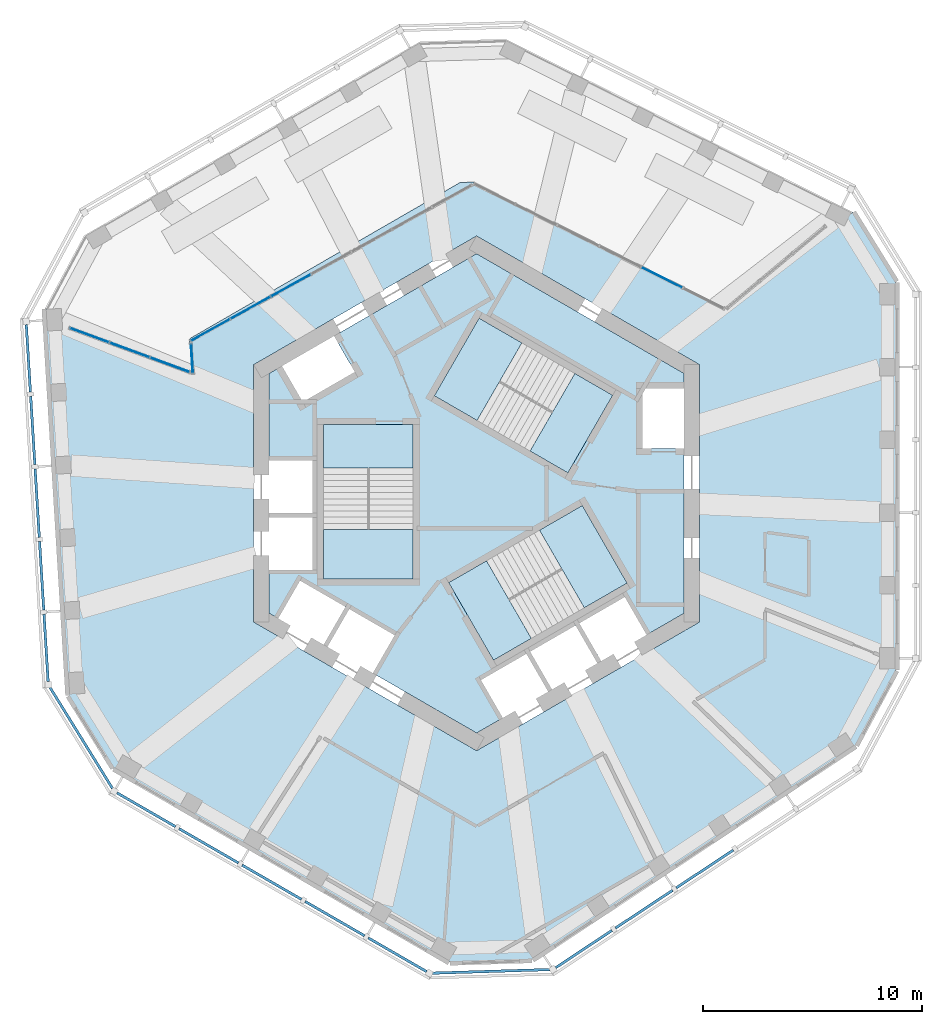
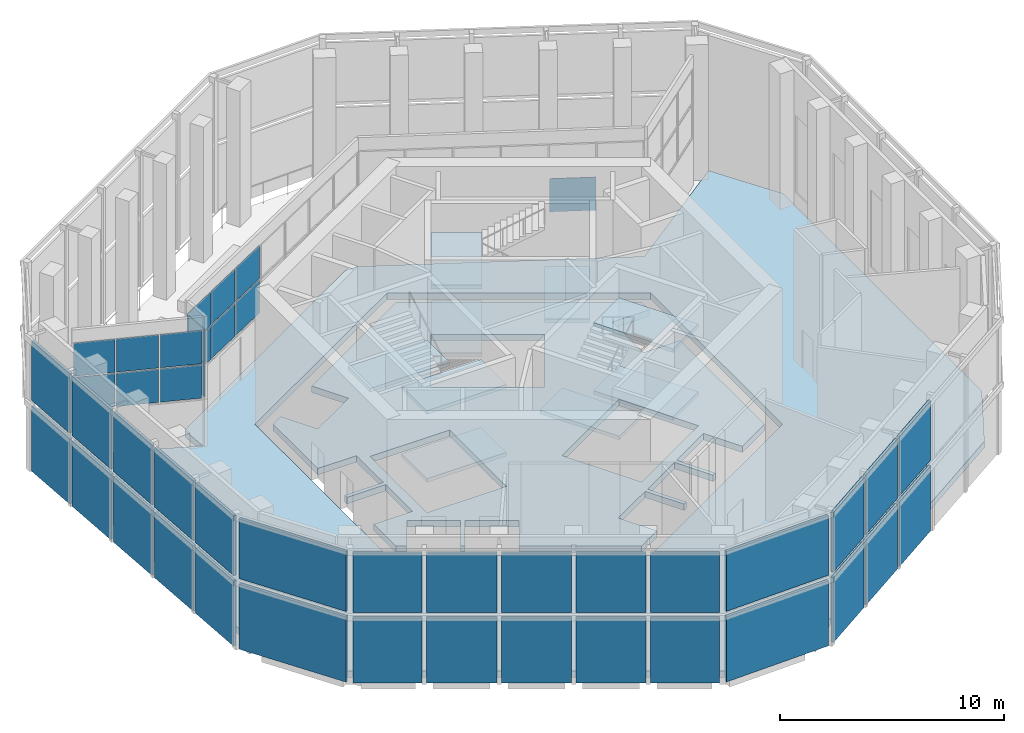
# One storey, part 6 of 16: 45 plates, 11 slabs, 12 elements without a shape of their own.
"""IFC4 building model written with IfcOpenShell, lengths in metres."""

from ifc_helpers import new_model, si_unit, direction, frame, origin, origin_2d, place, context, subcontext, project, spatial, polyline, rectangle, outline, extrude, material, layer, layer_set, type_object, element, aggregate, save


model = new_model("IFC4")

# Units and contexts
model_context = context("Model", 3, precision=1e-05, world=origin(), true_north=direction((0.0, 1.0)))
body_context = subcontext(model_context, "Body", "Model", "MODEL_VIEW")
ifc_project = project(units=[si_unit("LENGTHUNIT", "METRE"), si_unit("AREAUNIT", "SQUARE_METRE"), si_unit("VOLUMEUNIT", "CUBIC_METRE"), si_unit("PLANEANGLEUNIT", "RADIAN"), si_unit("MASSUNIT", "GRAM", prefix="KILO")], contexts=[model_context])

# Site, building, storey
site_placement = place(None, origin())
site = spatial("IfcSite", under=ifc_project, at=site_placement, CompositionType="ELEMENT")
building_placement = place(site_placement, origin())
building = spatial("IfcBuilding", under=site, at=building_placement, Name="Vanh Sen Convention Tower", CompositionType="ELEMENT")
storey_placement = place(building_placement, frame((0.0, 0.0, 278.300048828125)))
storey = spatial("IfcBuildingStorey", under=building, at=storey_placement, Name="L69", CompositionType="ELEMENT", Elevation=278.300048828125)

# Slabs
ifc_material_1 = material(Name="Concrete C40/50", Category="concrete")
ifc_layer_1 = layer(ifc_material_1, 0.35009765625)
ifc_layer_set_1 = layer_set([ifc_layer_1], Name="Concrete C40/50")
slab_type_1 = type_object("IfcSlabType", Name="Core slab 350", PredefinedType="FLOOR", material=ifc_layer_set_1)
slab_1_placement = place(storey_placement, frame((0.0, 0.0, -0.35009765625)))
element("IfcSlab", 1, at=slab_1_placement, inside=storey, type_object=slab_type_1, Name="Core slab L69", PredefinedType="FLOOR", context=body_context, shape_type="SweptSolid", body=[
    extrude(outline(polyline([(0.0, 10.9697265625), (9.5, 5.48486328125), (9.5, 4.800048828125), (7.60009765625, 4.800048828125), (7.60009765625, 2.050048828125), (9.5, 2.050048828125), (9.5, -5.48486328125), (7.781005859375, -6.477294921875), (6.781005859375, -4.7451171875), (4.70263671875, -5.9453125), (5.70263671875, -7.67724609375), (5.529296875, -7.777099609375), (4.529296875, -6.045166015625), (2.450927734375, -7.2451171875), (3.450927734375, -8.977294921875), (3.27783203125, -9.0771484375), (2.27783203125, -7.34521484375), (0.19921875, -8.545166015625), (1.19921875, -10.277099609375), (0.0, -10.9697265625), (-4.75, -8.227294921875), (-3.75, -6.4951171875), (-5.82861328125, -5.295166015625), (-6.82861328125, -7.027099609375), (-7.001708984375, -6.92724609375), (-6.001708984375, -5.1953125), (-8.080078125, -3.9951171875), (-9.080078125, -5.727294921875), (-9.5, -5.48486328125), (-9.5, -3.5), (-7.5, -3.5), (-7.5, -1.10009765625), (-9.5, -1.10009765625), (-9.5, -0.89990234375), (-7.5, -0.89990234375), (-7.5, 1.5), (-9.5, 1.5), (-9.5, 5.48486328125), (-8.906982421875, 5.8271484375), (-7.956787109375, 4.181884765625), (-5.575439453125, 5.556884765625), (-6.525390625, 7.2021484375), (0.0, 10.9697265625)]), holes=[polyline([(-7.0, 1.1494140625), (-7.0, -3.909912109375), (-2.89990234375, -3.909912109375), (-2.89990234375, 1.1494140625), (-7.0, 1.1494140625)]), polyline([(2.504638671875, -6.63671875), (6.88623046875, -4.107177734375), (4.836181640625, -0.556396484375), (0.45458984375, -3.086181640625), (2.504638671875, -6.63671875)]), polyline([(0.11376953125, 8.01708984375), (-1.936279296875, 4.466552734375), (2.4453125, 1.936767578125), (4.495361328125, 5.487548828125), (0.11376953125, 8.01708984375)])]), origin(), (0.0, 0.0, 1.0), 0.35009765625),
])
ifc_layer_2 = layer(ifc_material_1, 0.35009765625)
ifc_layer_set_2 = layer_set([ifc_layer_2], Name="Concrete C40/50")
slab_type_2 = type_object("IfcSlabType", Name="Floor slab 350, compartment floor REI 180", PredefinedType="FLOOR", material=ifc_layer_set_2)
slab_2_placement = place(storey_placement, frame((0.0, 0.0, -0.35009765625)))
element("IfcSlab", 2, at=slab_2_placement, inside=storey, type_object=slab_type_2, Name="Floor slab L69 interior", PredefinedType="FLOOR", context=body_context, shape_type="SweptSolid", body=[
    extrude(outline(polyline([(17.21337890625, 12.871826171875), (17.21337890625, 12.871826171875), (11.385986328125, 8.51416015625), (-0.115478515625, 14.24853515625), (-0.754638671875, 14.22900390625), (-13.1162109375, 7.092041015625), (-13.1533203125, 7.023193359375), (-13.06640625, 5.603515625), (-19.75390625, 8.471435546875), (-18.669921875, -9.25390625), (-16.612060546875, -12.579345703125), (-1.23291015625, -21.45849609375), (2.54052734375, -21.34326171875), (17.34912109375, -11.541748046875), (19.199951171875, -8.0966796875), (19.199951171875, 9.66162109375), (17.21337890625, 12.871826171875)]), holes=[polyline([(0.0, 11.77783203125), (-10.199951171875, 5.888916015625), (-10.199951171875, -5.888916015625), (0.0, -11.77783203125), (10.199951171875, -5.888916015625), (10.199951171875, 5.888916015625), (0.0, 11.77783203125)])]), origin(), (0.0, 0.0, 1.0), 0.35009765625),
])

# Curtain wall, plates
ifc_material_2 = material(Name="Aluminium structural glazing system", Category="aluminium")
curtain_wall_type_1 = type_object("IfcCurtainWallType", Name="Sky garden structural glazing", PredefinedType="NOTDEFINED", material=ifc_material_2)
curtain_wall_1_placement = place(storey_placement, origin())
curtain_wall_1 = element("IfcCurtainWall", 3, at=curtain_wall_1_placement, inside=storey, type_object=curtain_wall_type_1, Name="Winter garden glazing 1 L69", PredefinedType="NOTDEFINED")
ifc_material_3 = material(Name="Clear toughened safety glass", Category="glass")
ifc_layer_3 = layer(ifc_material_3, 0.035888671875)
ifc_layer_set_3 = layer_set([ifc_layer_3], Name="Clear toughened safety glass")
plate_type_1 = type_object("IfcPlateType", Name="Garden glazing clear glass panel 36", PredefinedType="CURTAIN_PANEL", material=ifc_layer_set_3)
plate_1_placement = place(storey_placement, frame((-17.717529296875, 7.23486328125, 2.669921875), z_axis=(0.0, 0.0, 1.0), x_axis=(0.938493311788, -0.34529741344, 0.0)))
plate_1 = element("IfcPlate", 4, at=plate_1_placement, type_object=plate_type_1, Name="CW5 panel 1.1", PredefinedType="CURTAIN_PANEL", context=body_context, shape_type="SweptSolid", body=[
    extrude(rectangle(XDim=1.871826171875, YDim=0.035888671875, at=origin_2d()), origin(), (0.0, 0.0, 1.0), 1.804931640625),
])
plate_2_placement = place(storey_placement, frame((-17.717529296875, 7.23486328125, 4.544921875), z_axis=(0.0, 0.0, 1.0), x_axis=(0.938493311788, -0.34529741344, 0.0)))
plate_2 = element("IfcPlate", 5, at=plate_2_placement, type_object=plate_type_1, Name="CW5 panel 1.2", PredefinedType="CURTAIN_PANEL", context=body_context, shape_type="SweptSolid", body=[
    extrude(rectangle(XDim=1.871826171875, YDim=0.035888671875, at=origin_2d()), origin(), (0.0, 0.0, 1.0), 1.804931640625),
])
plate_3_placement = place(storey_placement, frame((-15.878662109375, 6.558349609375, 2.669921875), z_axis=(0.0, 0.0, 1.0), x_axis=(0.938493311788, -0.34529741344, 0.0)))
plate_3 = element("IfcPlate", 6, at=plate_3_placement, type_object=plate_type_1, Name="CW5 panel 2.1", PredefinedType="CURTAIN_PANEL", context=body_context, shape_type="SweptSolid", body=[
    extrude(rectangle(XDim=1.90673828125, YDim=0.035888671875, at=origin_2d()), origin(), (0.0, 0.0, 1.0), 1.804931640625),
])
plate_4_placement = place(storey_placement, frame((-15.878662109375, 6.558349609375, 4.544921875), z_axis=(0.0, 0.0, 1.0), x_axis=(0.938493311788, -0.34529741344, 0.0)))
plate_4 = element("IfcPlate", 7, at=plate_4_placement, type_object=plate_type_1, Name="CW5 panel 2.2", PredefinedType="CURTAIN_PANEL", context=body_context, shape_type="SweptSolid", body=[
    extrude(rectangle(XDim=1.90673828125, YDim=0.035888671875, at=origin_2d()), origin(), (0.0, 0.0, 1.0), 1.804931640625),
])
plate_5_placement = place(storey_placement, frame((-14.0400390625, 5.8818359375, 2.669921875), z_axis=(0.0, 0.0, 1.0), x_axis=(0.938493311788, -0.34529741344, 0.0)))
plate_5 = element("IfcPlate", 8, at=plate_5_placement, type_object=plate_type_1, Name="CW5 panel 3.1", PredefinedType="CURTAIN_PANEL", context=body_context, shape_type="SweptSolid", body=[
    extrude(rectangle(XDim=1.871826171875, YDim=0.035888671875, at=origin_2d()), origin(), (0.0, 0.0, 1.0), 1.804931640625),
])
plate_6_placement = place(storey_placement, frame((-14.0400390625, 5.8818359375, 4.544921875), z_axis=(0.0, 0.0, 1.0), x_axis=(0.938493311788, -0.34529741344, 0.0)))
plate_6 = element("IfcPlate", 9, at=plate_6_placement, type_object=plate_type_1, Name="CW5 panel 3.2", PredefinedType="CURTAIN_PANEL", context=body_context, shape_type="SweptSolid", body=[
    extrude(rectangle(XDim=1.871826171875, YDim=0.035888671875, at=origin_2d()), origin(), (0.0, 0.0, 1.0), 1.804931640625),
])
aggregate(curtain_wall_1, [plate_1, plate_2, plate_3, plate_4, plate_5, plate_6])

curtain_wall_2_placement = place(storey_placement, origin())
curtain_wall_2 = element("IfcCurtainWall", 10, at=curtain_wall_2_placement, inside=storey, type_object=curtain_wall_type_1, Name="Winter garden glazing 2 L69", PredefinedType="NOTDEFINED")
plate_7_placement = place(storey_placement, frame((-13.0263671875, 6.175537109375, 2.669921875), z_axis=(0.0, 0.0, 1.0), x_axis=(-0.061018113054, 0.99813665892, 0.0)))
plate_7 = element("IfcPlate", 11, at=plate_7_placement, type_object=plate_type_1, Name="CW5 panel 1.1", PredefinedType="CURTAIN_PANEL", context=body_context, shape_type="SweptSolid", body=[
    extrude(rectangle(XDim=1.29736328125, YDim=0.035888671875, at=origin_2d()), origin(), (0.0, 0.0, 1.0), 1.804931640625),
])
plate_8_placement = place(storey_placement, frame((-13.0263671875, 6.175537109375, 4.544921875), z_axis=(0.0, 0.0, 1.0), x_axis=(-0.061018113054, 0.99813665892, 0.0)))
plate_8 = element("IfcPlate", 12, at=plate_8_placement, type_object=plate_type_1, Name="CW5 panel 1.2", PredefinedType="CURTAIN_PANEL", context=body_context, shape_type="SweptSolid", body=[
    extrude(rectangle(XDim=1.29736328125, YDim=0.035888671875, at=origin_2d()), origin(), (0.0, 0.0, 1.0), 1.804931640625),
])
aggregate(curtain_wall_2, [plate_7, plate_8])

curtain_wall_3_placement = place(storey_placement, origin())
curtain_wall_3 = element("IfcCurtainWall", 13, at=curtain_wall_3_placement, inside=storey, type_object=curtain_wall_type_1, Name="Winter garden glazing 3 L69", PredefinedType="NOTDEFINED")
plate_9_placement = place(storey_placement, frame((-12.17822265625, 7.477783203125, 2.669921875), z_axis=(0.0, 0.0, 1.0), x_axis=(0.874659112115, 0.484738524975, 0.0)))
plate_9 = element("IfcPlate", 14, at=plate_9_placement, type_object=plate_type_1, Name="CW5 panel 1.1", PredefinedType="CURTAIN_PANEL", context=body_context, shape_type="SweptSolid", body=[
    extrude(rectangle(XDim=2.006591796875, YDim=0.035888671875, at=origin_2d()), origin(), (0.0, 0.0, 1.0), 1.804931640625),
])
plate_10_placement = place(storey_placement, frame((-12.17822265625, 7.477783203125, 4.544921875), z_axis=(0.0, 0.0, 1.0), x_axis=(0.874659112115, 0.484738524975, 0.0)))
plate_10 = element("IfcPlate", 15, at=plate_10_placement, type_object=plate_type_1, Name="CW5 panel 1.2", PredefinedType="CURTAIN_PANEL", context=body_context, shape_type="SweptSolid", body=[
    extrude(rectangle(XDim=2.006591796875, YDim=0.035888671875, at=origin_2d()), origin(), (0.0, 0.0, 1.0), 1.804931640625),
])
plate_11_placement = place(storey_placement, frame((-10.346435546875, 8.492919921875, 2.669921875), z_axis=(0.0, 0.0, 1.0), x_axis=(0.874659112115, 0.484738524975, 0.0)))
plate_11 = element("IfcPlate", 16, at=plate_11_placement, type_object=plate_type_1, Name="CW5 panel 2.1", PredefinedType="CURTAIN_PANEL", context=body_context, shape_type="SweptSolid", body=[
    extrude(rectangle(XDim=2.04150390625, YDim=0.035888671875, at=origin_2d()), origin(), (0.0, 0.0, 1.0), 1.804931640625),
])
plate_12_placement = place(storey_placement, frame((-10.346435546875, 8.492919921875, 4.544921875), z_axis=(0.0, 0.0, 1.0), x_axis=(0.874659112115, 0.484738524975, 0.0)))
plate_12 = element("IfcPlate", 17, at=plate_12_placement, type_object=plate_type_1, Name="CW5 panel 2.2", PredefinedType="CURTAIN_PANEL", context=body_context, shape_type="SweptSolid", body=[
    extrude(rectangle(XDim=2.04150390625, YDim=0.035888671875, at=origin_2d()), origin(), (0.0, 0.0, 1.0), 1.804931640625),
])
plate_13_placement = place(storey_placement, frame((-8.499755859375, 9.516357421875, 2.669921875), z_axis=(0.0, 0.0, 1.0), x_axis=(0.874659112115, 0.484738524975, 0.0)))
plate_13 = element("IfcPlate", 18, at=plate_13_placement, type_object=plate_type_1, Name="CW5 panel 3.1", PredefinedType="CURTAIN_PANEL", context=body_context, shape_type="SweptSolid", body=[
    extrude(rectangle(XDim=2.04150390625, YDim=0.035888671875, at=origin_2d()), origin(), (0.0, 0.0, 1.0), 1.804931640625),
])
plate_14_placement = place(storey_placement, frame((-8.499755859375, 9.516357421875, 4.544921875), z_axis=(0.0, 0.0, 1.0), x_axis=(0.874659112115, 0.484738524975, 0.0)))
plate_14 = element("IfcPlate", 19, at=plate_14_placement, type_object=plate_type_1, Name="CW5 panel 3.2", PredefinedType="CURTAIN_PANEL", context=body_context, shape_type="SweptSolid", body=[
    extrude(rectangle(XDim=2.04150390625, YDim=0.035888671875, at=origin_2d()), origin(), (0.0, 0.0, 1.0), 1.804931640625),
])
aggregate(curtain_wall_3, [plate_9, plate_10, plate_11, plate_12, plate_13, plate_14])

# Curtain wall, plate
curtain_wall_4_placement = place(storey_placement, origin())
curtain_wall_4 = element("IfcCurtainWall", 20, at=curtain_wall_4_placement, inside=storey, type_object=curtain_wall_type_1, Name="Winter garden glazing 4 L69", PredefinedType="NOTDEFINED")
plate_15_placement = place(storey_placement, frame((8.48046875, 9.87890625, 2.669921875), z_axis=(0.0, 0.0, 1.0), x_axis=(0.894933739876, -0.446199060096, 0.0)))
plate_15 = element("IfcPlate", 21, at=plate_15_placement, type_object=plate_type_1, Name="CW5 panel 5.1", PredefinedType="CURTAIN_PANEL", context=body_context, shape_type="SweptSolid", body=[
    extrude(rectangle(XDim=2.07275390625, YDim=0.035888671875, at=origin_2d()), origin(), (0.0, 0.0, 1.0), 1.804931640625),
])
aggregate(curtain_wall_4, [plate_15])

# Curtain wall, plates
ifc_material_4 = material(Name="Concrete C50/60", Category="concrete")
curtain_wall_type_2 = type_object("IfcCurtainWallType", Name="Outer skin office zone", PredefinedType="NOTDEFINED", material=ifc_material_4)
curtain_wall_5_placement = place(storey_placement, origin())
curtain_wall_5 = element("IfcCurtainWall", 22, at=curtain_wall_5_placement, inside=storey, type_object=curtain_wall_type_2, Name="OUTER SKIN W L69", PredefinedType="NOTDEFINED")
ifc_layer_4 = layer(ifc_material_4, 0.1201171875)
ifc_layer_set_4 = layer_set([ifc_layer_4], Name="Concrete C50/60")
plate_type_2 = type_object("IfcPlateType", Name="Outer skin precast screen panel 120", PredefinedType="CURTAIN_PANEL", material=ifc_layer_set_4)
plate_16_placement = place(storey_placement, frame((-20.515380859375, 6.1796875, 0.0), z_axis=(0.0, 0.0, 1.0), x_axis=(0.061052023682, -0.998134585316, 0.0)))
plate_16 = element("IfcPlate", 23, at=plate_16_placement, type_object=plate_type_2, Name="OUTER SKIN screen panel W-1", PredefinedType="CURTAIN_PANEL", context=body_context, shape_type="SweptSolid", body=[
    extrude(rectangle(XDim=3.08154296875, YDim=0.1201171875, at=origin_2d()), origin(), (0.0, 0.0, 1.0), 3.550048828125),
])
plate_17_placement = place(storey_placement, frame((-20.515380859375, 6.1796875, 3.849853515625), z_axis=(0.0, 0.0, 1.0), x_axis=(0.061052023682, -0.998134585316, 0.0)))
plate_17 = element("IfcPlate", 24, at=plate_17_placement, type_object=plate_type_2, Name="OUTER SKIN screen panel W-1", PredefinedType="CURTAIN_PANEL", context=body_context, shape_type="SweptSolid", body=[
    extrude(rectangle(XDim=3.08154296875, YDim=0.1201171875, at=origin_2d()), origin(), (0.0, 0.0, 1.0), 3.25),
])
plate_18_placement = place(storey_placement, frame((-20.313720703125, 2.87939453125, 0.0), z_axis=(0.0, 0.0, 1.0), x_axis=(0.061050281609, -0.998134691871, 0.0)))
plate_18 = element("IfcPlate", 25, at=plate_18_placement, type_object=plate_type_2, Name="OUTER SKIN screen panel W-2", PredefinedType="CURTAIN_PANEL", context=body_context, shape_type="SweptSolid", body=[
    extrude(rectangle(XDim=3.131591796875, YDim=0.1201171875, at=origin_2d()), origin(), (0.0, 0.0, 1.0), 3.550048828125),
])
plate_19_placement = place(storey_placement, frame((-20.313720703125, 2.87939453125, 3.849853515625), z_axis=(0.0, 0.0, 1.0), x_axis=(0.061050281609, -0.998134691871, 0.0)))
plate_19 = element("IfcPlate", 26, at=plate_19_placement, type_object=plate_type_2, Name="OUTER SKIN screen panel W-2", PredefinedType="CURTAIN_PANEL", context=body_context, shape_type="SweptSolid", body=[
    extrude(rectangle(XDim=3.131591796875, YDim=0.1201171875, at=origin_2d()), origin(), (0.0, 0.0, 1.0), 3.25),
])
plate_20_placement = place(storey_placement, frame((-20.1103515625, -0.4462890625, 0.0), z_axis=(0.0, 0.0, 1.0), x_axis=(0.061052023682, -0.998134585316, 0.0)))
plate_20 = element("IfcPlate", 27, at=plate_20_placement, type_object=plate_type_2, Name="OUTER SKIN screen panel W-3", PredefinedType="CURTAIN_PANEL", context=body_context, shape_type="SweptSolid", body=[
    extrude(rectangle(XDim=3.131591796875, YDim=0.1201171875, at=origin_2d()), origin(), (0.0, 0.0, 1.0), 3.550048828125),
])
plate_21_placement = place(storey_placement, frame((-20.1103515625, -0.4462890625, 3.849853515625), z_axis=(0.0, 0.0, 1.0), x_axis=(0.061052023682, -0.998134585316, 0.0)))
plate_21 = element("IfcPlate", 28, at=plate_21_placement, type_object=plate_type_2, Name="OUTER SKIN screen panel W-3", PredefinedType="CURTAIN_PANEL", context=body_context, shape_type="SweptSolid", body=[
    extrude(rectangle(XDim=3.131591796875, YDim=0.1201171875, at=origin_2d()), origin(), (0.0, 0.0, 1.0), 3.25),
])
plate_22_placement = place(storey_placement, frame((-19.906982421875, -3.771484375, 0.0), z_axis=(0.0, 0.0, 1.0), x_axis=(0.061052023682, -0.998134585316, 0.0)))
plate_22 = element("IfcPlate", 29, at=plate_22_placement, type_object=plate_type_2, Name="OUTER SKIN screen panel W-4", PredefinedType="CURTAIN_PANEL", context=body_context, shape_type="SweptSolid", body=[
    extrude(rectangle(XDim=3.131591796875, YDim=0.1201171875, at=origin_2d()), origin(), (0.0, 0.0, 1.0), 3.550048828125),
])
plate_23_placement = place(storey_placement, frame((-19.906982421875, -3.771484375, 3.849853515625), z_axis=(0.0, 0.0, 1.0), x_axis=(0.061052023682, -0.998134585316, 0.0)))
plate_23 = element("IfcPlate", 30, at=plate_23_placement, type_object=plate_type_2, Name="OUTER SKIN screen panel W-4", PredefinedType="CURTAIN_PANEL", context=body_context, shape_type="SweptSolid", body=[
    extrude(rectangle(XDim=3.131591796875, YDim=0.1201171875, at=origin_2d()), origin(), (0.0, 0.0, 1.0), 3.25),
])
plate_24_placement = place(storey_placement, frame((-19.705078125, -7.072021484375, 0.0), z_axis=(0.0, 0.0, 1.0), x_axis=(0.061050281609, -0.998134691871, 0.0)))
plate_24 = element("IfcPlate", 31, at=plate_24_placement, type_object=plate_type_2, Name="OUTER SKIN screen panel W-5", PredefinedType="CURTAIN_PANEL", context=body_context, shape_type="SweptSolid", body=[
    extrude(rectangle(XDim=3.081787109375, YDim=0.1201171875, at=origin_2d()), origin(), (0.0, 0.0, 1.0), 3.550048828125),
])
plate_25_placement = place(storey_placement, frame((-19.705078125, -7.072021484375, 3.849853515625), z_axis=(0.0, 0.0, 1.0), x_axis=(0.061050281609, -0.998134691871, 0.0)))
plate_25 = element("IfcPlate", 32, at=plate_25_placement, type_object=plate_type_2, Name="OUTER SKIN screen panel W-5", PredefinedType="CURTAIN_PANEL", context=body_context, shape_type="SweptSolid", body=[
    extrude(rectangle(XDim=3.081787109375, YDim=0.1201171875, at=origin_2d()), origin(), (0.0, 0.0, 1.0), 3.25),
])
aggregate(curtain_wall_5, [plate_16, plate_17, plate_18, plate_19, plate_20, plate_21, plate_22, plate_23, plate_24, plate_25])

curtain_wall_6_placement = place(storey_placement, origin())
curtain_wall_6 = element("IfcCurtainWall", 33, at=curtain_wall_6_placement, inside=storey, type_object=curtain_wall_type_2, Name="OUTER SKIN CH4 L69", PredefinedType="NOTDEFINED")
plate_26_placement = place(storey_placement, frame((-18.09375, -11.19677734375, 0.0), z_axis=(0.0, 0.0, 1.0), x_axis=(0.526210955359, -0.850354061823, 0.0)))
plate_26 = element("IfcPlate", 34, at=plate_26_placement, type_object=plate_type_2, Name="OUTER SKIN screen panel CH4-1", PredefinedType="CURTAIN_PANEL", context=body_context, shape_type="SweptSolid", body=[
    extrude(rectangle(XDim=5.431640625, YDim=0.1201171875, at=origin_2d()), origin(), (0.0, 0.0, 1.0), 3.550048828125),
])
plate_27_placement = place(storey_placement, frame((-18.09375, -11.19677734375, 3.849853515625), z_axis=(0.0, 0.0, 1.0), x_axis=(0.526210955359, -0.850354061823, 0.0)))
plate_27 = element("IfcPlate", 35, at=plate_27_placement, type_object=plate_type_2, Name="OUTER SKIN screen panel CH4-1", PredefinedType="CURTAIN_PANEL", context=body_context, shape_type="SweptSolid", body=[
    extrude(rectangle(XDim=5.431640625, YDim=0.1201171875, at=origin_2d()), origin(), (0.0, 0.0, 1.0), 3.25),
])
aggregate(curtain_wall_6, [plate_26, plate_27])

curtain_wall_7_placement = place(storey_placement, origin())
curtain_wall_7 = element("IfcCurtainWall", 36, at=curtain_wall_7_placement, inside=storey, type_object=curtain_wall_type_2, Name="OUTER SKIN SW L69", PredefinedType="NOTDEFINED")
plate_28_placement = place(storey_placement, frame((-15.121337890625, -14.47900390625, 0.0), z_axis=(0.0, 0.0, 1.0), x_axis=(0.866028894422, -0.49999395399, 0.0)))
plate_28 = element("IfcPlate", 37, at=plate_28_placement, type_object=plate_type_2, Name="OUTER SKIN screen panel SW-1", PredefinedType="CURTAIN_PANEL", context=body_context, shape_type="SweptSolid", body=[
    extrude(rectangle(XDim=3.08154296875, YDim=0.1201171875, at=origin_2d()), origin(), (0.0, 0.0, 1.0), 3.550048828125),
])
plate_29_placement = place(storey_placement, frame((-15.121337890625, -14.47900390625, 3.849853515625), z_axis=(0.0, 0.0, 1.0), x_axis=(0.866028894422, -0.49999395399, 0.0)))
plate_29 = element("IfcPlate", 38, at=plate_29_placement, type_object=plate_type_2, Name="OUTER SKIN screen panel SW-1", PredefinedType="CURTAIN_PANEL", context=body_context, shape_type="SweptSolid", body=[
    extrude(rectangle(XDim=3.08154296875, YDim=0.1201171875, at=origin_2d()), origin(), (0.0, 0.0, 1.0), 3.25),
])
plate_30_placement = place(storey_placement, frame((-12.2578125, -16.132568359375, 0.0), z_axis=(0.0, 0.0, 1.0), x_axis=(0.866015804314, -0.500016626402, 0.0)))
plate_30 = element("IfcPlate", 39, at=plate_30_placement, type_object=plate_type_2, Name="OUTER SKIN screen panel SW-2", PredefinedType="CURTAIN_PANEL", context=body_context, shape_type="SweptSolid", body=[
    extrude(rectangle(XDim=3.131591796875, YDim=0.1201171875, at=origin_2d()), origin(), (0.0, 0.0, 1.0), 3.550048828125),
])
plate_31_placement = place(storey_placement, frame((-12.2578125, -16.132568359375, 3.849853515625), z_axis=(0.0, 0.0, 1.0), x_axis=(0.866015804314, -0.500016626402, 0.0)))
plate_31 = element("IfcPlate", 40, at=plate_31_placement, type_object=plate_type_2, Name="OUTER SKIN screen panel SW-2", PredefinedType="CURTAIN_PANEL", context=body_context, shape_type="SweptSolid", body=[
    extrude(rectangle(XDim=3.131591796875, YDim=0.1201171875, at=origin_2d()), origin(), (0.0, 0.0, 1.0), 3.25),
])
plate_32_placement = place(storey_placement, frame((-9.37255859375, -17.79833984375, 0.0), z_axis=(0.0, 0.0, 1.0), x_axis=(0.866028894422, -0.49999395399, 0.0)))
plate_32 = element("IfcPlate", 41, at=plate_32_placement, type_object=plate_type_2, Name="OUTER SKIN screen panel SW-3", PredefinedType="CURTAIN_PANEL", context=body_context, shape_type="SweptSolid", body=[
    extrude(rectangle(XDim=3.131591796875, YDim=0.1201171875, at=origin_2d()), origin(), (0.0, 0.0, 1.0), 3.550048828125),
])
plate_33_placement = place(storey_placement, frame((-9.37255859375, -17.79833984375, 3.849853515625), z_axis=(0.0, 0.0, 1.0), x_axis=(0.866028894422, -0.49999395399, 0.0)))
plate_33 = element("IfcPlate", 42, at=plate_33_placement, type_object=plate_type_2, Name="OUTER SKIN screen panel SW-3", PredefinedType="CURTAIN_PANEL", context=body_context, shape_type="SweptSolid", body=[
    extrude(rectangle(XDim=3.131591796875, YDim=0.1201171875, at=origin_2d()), origin(), (0.0, 0.0, 1.0), 3.25),
])
plate_34_placement = place(storey_placement, frame((-6.487060546875, -19.464111328125, 0.0), z_axis=(0.0, 0.0, 1.0), x_axis=(0.866028894422, -0.49999395399, 0.0)))
plate_34 = element("IfcPlate", 43, at=plate_34_placement, type_object=plate_type_2, Name="OUTER SKIN screen panel SW-4", PredefinedType="CURTAIN_PANEL", context=body_context, shape_type="SweptSolid", body=[
    extrude(rectangle(XDim=3.131591796875, YDim=0.1201171875, at=origin_2d()), origin(), (0.0, 0.0, 1.0), 3.550048828125),
])
plate_35_placement = place(storey_placement, frame((-6.487060546875, -19.464111328125, 3.849853515625), z_axis=(0.0, 0.0, 1.0), x_axis=(0.866028894422, -0.49999395399, 0.0)))
plate_35 = element("IfcPlate", 44, at=plate_35_placement, type_object=plate_type_2, Name="OUTER SKIN screen panel SW-4", PredefinedType="CURTAIN_PANEL", context=body_context, shape_type="SweptSolid", body=[
    extrude(rectangle(XDim=3.131591796875, YDim=0.1201171875, at=origin_2d()), origin(), (0.0, 0.0, 1.0), 3.25),
])
plate_36_placement = place(storey_placement, frame((-3.62353515625, -21.117431640625, 0.0), z_axis=(0.0, 0.0, 1.0), x_axis=(0.866028894422, -0.49999395399, 0.0)))
plate_36 = element("IfcPlate", 45, at=plate_36_placement, type_object=plate_type_2, Name="OUTER SKIN screen panel SW-5", PredefinedType="CURTAIN_PANEL", context=body_context, shape_type="SweptSolid", body=[
    extrude(rectangle(XDim=3.08154296875, YDim=0.1201171875, at=origin_2d()), origin(), (0.0, 0.0, 1.0), 3.550048828125),
])
plate_37_placement = place(storey_placement, frame((-3.62353515625, -21.117431640625, 3.849853515625), z_axis=(0.0, 0.0, 1.0), x_axis=(0.866028894422, -0.49999395399, 0.0)))
plate_37 = element("IfcPlate", 46, at=plate_37_placement, type_object=plate_type_2, Name="OUTER SKIN screen panel SW-5", PredefinedType="CURTAIN_PANEL", context=body_context, shape_type="SweptSolid", body=[
    extrude(rectangle(XDim=3.08154296875, YDim=0.1201171875, at=origin_2d()), origin(), (0.0, 0.0, 1.0), 3.25),
])
aggregate(curtain_wall_7, [plate_28, plate_29, plate_30, plate_31, plate_32, plate_33, plate_34, plate_35, plate_36, plate_37])

curtain_wall_8_placement = place(storey_placement, origin())
curtain_wall_8 = element("IfcCurtainWall", 47, at=curtain_wall_8_placement, inside=storey, type_object=curtain_wall_type_2, Name="OUTER SKIN CH5 L69", PredefinedType="NOTDEFINED")
plate_38_placement = place(storey_placement, frame((0.66845703125, -21.87646484375, 0.0), z_axis=(0.0, 0.0, 1.0), x_axis=(0.999533590837, 0.03053851321, 0.0)))
plate_38 = element("IfcPlate", 48, at=plate_38_placement, type_object=plate_type_2, Name="OUTER SKIN screen panel CH5-1", PredefinedType="CURTAIN_PANEL", context=body_context, shape_type="SweptSolid", body=[
    extrude(rectangle(XDim=5.35791015625, YDim=0.1201171875, at=origin_2d()), origin(), (0.0, 0.0, 1.0), 3.550048828125),
])
plate_39_placement = place(storey_placement, frame((0.66845703125, -21.87646484375, 3.849853515625), z_axis=(0.0, 0.0, 1.0), x_axis=(0.999533590837, 0.03053851321, 0.0)))
plate_39 = element("IfcPlate", 49, at=plate_39_placement, type_object=plate_type_2, Name="OUTER SKIN screen panel CH5-1", PredefinedType="CURTAIN_PANEL", context=body_context, shape_type="SweptSolid", body=[
    extrude(rectangle(XDim=5.35791015625, YDim=0.1201171875, at=origin_2d()), origin(), (0.0, 0.0, 1.0), 3.25),
])
aggregate(curtain_wall_8, [plate_38, plate_39])

curtain_wall_9_placement = place(storey_placement, origin())
curtain_wall_9 = element("IfcCurtainWall", 50, at=curtain_wall_9_placement, inside=storey, type_object=curtain_wall_type_2, Name="OUTER SKIN SE L69", PredefinedType="NOTDEFINED")
plate_40_placement = place(storey_placement, frame((4.906005859375, -20.85693359375, 0.0), z_axis=(0.0, 0.0, 1.0), x_axis=(0.833902198, 0.551912243179, 0.0)))
plate_40 = element("IfcPlate", 51, at=plate_40_placement, type_object=plate_type_2, Name="OUTER SKIN screen panel SE-1", PredefinedType="CURTAIN_PANEL", context=body_context, shape_type="SweptSolid", body=[
    extrude(rectangle(XDim=3.081787109375, YDim=0.1201171875, at=origin_2d()), origin(), (0.0, 0.0, 1.0), 3.550048828125),
])
plate_41_placement = place(storey_placement, frame((4.906005859375, -20.85693359375, 3.849853515625), z_axis=(0.0, 0.0, 1.0), x_axis=(0.833902198, 0.551912243179, 0.0)))
plate_41 = element("IfcPlate", 52, at=plate_41_placement, type_object=plate_type_2, Name="OUTER SKIN screen panel SE-1", PredefinedType="CURTAIN_PANEL", context=body_context, shape_type="SweptSolid", body=[
    extrude(rectangle(XDim=3.081787109375, YDim=0.1201171875, at=origin_2d()), origin(), (0.0, 0.0, 1.0), 3.25),
])
plate_42_placement = place(storey_placement, frame((7.663330078125, -19.03173828125, 0.0), z_axis=(0.0, 0.0, 1.0), x_axis=(0.833879078823, 0.551947173108, 0.0)))
plate_42 = element("IfcPlate", 53, at=plate_42_placement, type_object=plate_type_2, Name="OUTER SKIN screen panel SE-2", PredefinedType="CURTAIN_PANEL", context=body_context, shape_type="SweptSolid", body=[
    extrude(rectangle(XDim=3.131591796875, YDim=0.1201171875, at=origin_2d()), origin(), (0.0, 0.0, 1.0), 3.550048828125),
])
plate_43_placement = place(storey_placement, frame((7.663330078125, -19.03173828125, 3.849853515625), z_axis=(0.0, 0.0, 1.0), x_axis=(0.833879078823, 0.551947173108, 0.0)))
plate_43 = element("IfcPlate", 54, at=plate_43_placement, type_object=plate_type_2, Name="OUTER SKIN screen panel SE-2", PredefinedType="CURTAIN_PANEL", context=body_context, shape_type="SweptSolid", body=[
    extrude(rectangle(XDim=3.131591796875, YDim=0.1201171875, at=origin_2d()), origin(), (0.0, 0.0, 1.0), 3.25),
])
plate_44_placement = place(storey_placement, frame((10.44140625, -17.193115234375, 0.0), z_axis=(0.0, 0.0, 1.0), x_axis=(0.833892565187, 0.551926797434, 0.0)))
plate_44 = element("IfcPlate", 55, at=plate_44_placement, type_object=plate_type_2, Name="OUTER SKIN screen panel SE-3", PredefinedType="CURTAIN_PANEL", context=body_context, shape_type="SweptSolid", body=[
    extrude(rectangle(XDim=3.131591796875, YDim=0.1201171875, at=origin_2d()), origin(), (0.0, 0.0, 1.0), 3.550048828125),
])
plate_45_placement = place(storey_placement, frame((10.44140625, -17.193115234375, 3.849853515625), z_axis=(0.0, 0.0, 1.0), x_axis=(0.833892565187, 0.551926797434, 0.0)))
plate_45 = element("IfcPlate", 56, at=plate_45_placement, type_object=plate_type_2, Name="OUTER SKIN screen panel SE-3", PredefinedType="CURTAIN_PANEL", context=body_context, shape_type="SweptSolid", body=[
    extrude(rectangle(XDim=3.131591796875, YDim=0.1201171875, at=origin_2d()), origin(), (0.0, 0.0, 1.0), 3.25),
])
aggregate(curtain_wall_9, [plate_40, plate_41, plate_42, plate_43, plate_44, plate_45])

# Stair, slabs
ifc_material_5 = material(Name="Concrete C50/60", Category="concrete")
stair_type_1 = type_object("IfcStairType", Name="Exit stair ST1 44 risers at 168.2", PredefinedType="HALF_TURN_STAIR", material=ifc_material_5)
stair_1_placement = place(storey_placement, origin())
stair_1 = element("IfcStair", 57, at=stair_1_placement, inside=storey, type_object=stair_type_1, Name="Exit stair ST1 L69", PredefinedType="HALF_TURN_STAIR")
ifc_layer_5 = layer(ifc_material_1, 0.199951171875)
ifc_layer_set_5 = layer_set([ifc_layer_5], Name="Concrete C40/50")
slab_type_3 = type_object("IfcSlabType", Name="Stair landing 200", PredefinedType="LANDING", material=ifc_layer_set_5)
slab_3_placement = place(storey_placement, frame((0.0, 0.0, 1.64990234375)))
slab_3 = element("IfcSlab", 58, at=slab_3_placement, type_object=slab_type_3, Name="ST1 landing 1", PredefinedType="LANDING", context=body_context, shape_type="SweptSolid", body=[
    extrude(outline(polyline([(2.07177734375, 6.88671875), (0.11376953125, 8.01708984375), (-1.936279296875, 4.466552734375), (0.021728515625, 3.336181640625), (2.07177734375, 6.88671875)])), origin(), (0.0, 0.0, 1.0), 0.199951171875),
])
slab_4_placement = place(storey_placement, frame((0.0, 0.0, 3.5)))
slab_4 = element("IfcSlab", 59, at=slab_4_placement, type_object=slab_type_3, Name="ST1 landing 2", PredefinedType="LANDING", context=body_context, shape_type="SweptSolid", body=[
    extrude(outline(polyline([(6.22802734375, 4.4873046875), (4.495361328125, 5.487548828125), (2.4453125, 1.936767578125), (4.177978515625, 0.9365234375), (6.22802734375, 4.4873046875)])), origin(), (0.0, 0.0, 1.0), 0.199951171875),
])
slab_5_placement = place(storey_placement, frame((0.0, 0.0, 5.349853515625)))
slab_5 = element("IfcSlab", 60, at=slab_5_placement, type_object=slab_type_3, Name="ST1 landing 3", PredefinedType="LANDING", context=body_context, shape_type="SweptSolid", body=[
    extrude(outline(polyline([(2.07177734375, 6.88671875), (0.11376953125, 8.01708984375), (-1.936279296875, 4.466552734375), (0.021728515625, 3.336181640625), (2.07177734375, 6.88671875)])), origin(), (0.0, 0.0, 1.0), 0.2001953125),
])
aggregate(stair_1, [slab_3, slab_4, slab_5])

stair_type_2 = type_object("IfcStairType", Name="Exit stair ST2 44 risers at 168.2", PredefinedType="HALF_TURN_STAIR", material=ifc_material_5)
stair_2_placement = place(storey_placement, origin())
stair_2 = element("IfcStair", 61, at=stair_2_placement, inside=storey, type_object=stair_type_2, Name="Exit stair ST2 L69", PredefinedType="HALF_TURN_STAIR")
slab_6_placement = place(storey_placement, frame((0.0, 0.0, 1.64990234375)))
slab_6 = element("IfcSlab", 62, at=slab_6_placement, type_object=slab_type_3, Name="ST2 landing 1", PredefinedType="LANDING", context=body_context, shape_type="SweptSolid", body=[
    extrude(outline(polyline([(-7.0, -1.6494140625), (-7.0, -3.909912109375), (-2.89990234375, -3.909912109375), (-2.89990234375, -1.6494140625), (-7.0, -1.6494140625)])), origin(), (0.0, 0.0, 1.0), 0.199951171875),
])
slab_7_placement = place(storey_placement, frame((0.0, 0.0, 3.5)))
slab_7 = element("IfcSlab", 63, at=slab_7_placement, type_object=slab_type_3, Name="ST2 landing 2", PredefinedType="LANDING", context=body_context, shape_type="SweptSolid", body=[
    extrude(outline(polyline([(-7.0, 3.14990234375), (-7.0, 1.1494140625), (-2.89990234375, 1.1494140625), (-2.89990234375, 3.14990234375), (-7.0, 3.14990234375)])), origin(), (0.0, 0.0, 1.0), 0.199951171875),
])
slab_8_placement = place(storey_placement, frame((0.0, 0.0, 5.349853515625)))
slab_8 = element("IfcSlab", 64, at=slab_8_placement, type_object=slab_type_3, Name="ST2 landing 3", PredefinedType="LANDING", context=body_context, shape_type="SweptSolid", body=[
    extrude(outline(polyline([(-7.0, -1.6494140625), (-7.0, -3.909912109375), (-2.89990234375, -3.909912109375), (-2.89990234375, -1.6494140625), (-7.0, -1.6494140625)])), origin(), (0.0, 0.0, 1.0), 0.2001953125),
])
aggregate(stair_2, [slab_6, slab_7, slab_8])

stair_type_3 = type_object("IfcStairType", Name="Exit stair ST3 44 risers at 168.2", PredefinedType="HALF_TURN_STAIR", material=ifc_material_5)
stair_3_placement = place(storey_placement, origin())
stair_3 = element("IfcStair", 65, at=stair_3_placement, inside=storey, type_object=stair_type_3, Name="Exit stair ST3 L69", PredefinedType="HALF_TURN_STAIR")
slab_9_placement = place(storey_placement, frame((0.0, 0.0, 1.64990234375)))
slab_9 = element("IfcSlab", 66, at=slab_9_placement, type_object=slab_type_3, Name="ST3 landing 1", PredefinedType="LANDING", context=body_context, shape_type="SweptSolid", body=[
    extrude(outline(polyline([(4.92822265625, -5.237548828125), (6.88623046875, -4.107177734375), (4.836181640625, -0.556396484375), (2.87841796875, -1.686767578125), (4.92822265625, -5.237548828125)])), origin(), (0.0, 0.0, 1.0), 0.199951171875),
])
slab_10_placement = place(storey_placement, frame((0.0, 0.0, 3.5)))
slab_10 = element("IfcSlab", 67, at=slab_10_placement, type_object=slab_type_3, Name="ST3 landing 2", PredefinedType="LANDING", context=body_context, shape_type="SweptSolid", body=[
    extrude(outline(polyline([(0.77197265625, -7.63720703125), (2.504638671875, -6.63671875), (0.45458984375, -3.086181640625), (-1.278076171875, -4.08642578125), (0.77197265625, -7.63720703125)])), origin(), (0.0, 0.0, 1.0), 0.199951171875),
])
slab_11_placement = place(storey_placement, frame((0.0, 0.0, 5.349853515625)))
slab_11 = element("IfcSlab", 68, at=slab_11_placement, type_object=slab_type_3, Name="ST3 landing 3", PredefinedType="LANDING", context=body_context, shape_type="SweptSolid", body=[
    extrude(outline(polyline([(4.92822265625, -5.237548828125), (6.88623046875, -4.107177734375), (4.836181640625, -0.556396484375), (2.87841796875, -1.686767578125), (4.92822265625, -5.237548828125)])), origin(), (0.0, 0.0, 1.0), 0.2001953125),
])
aggregate(stair_3, [slab_9, slab_10, slab_11])

save(model, "model.ifc")
